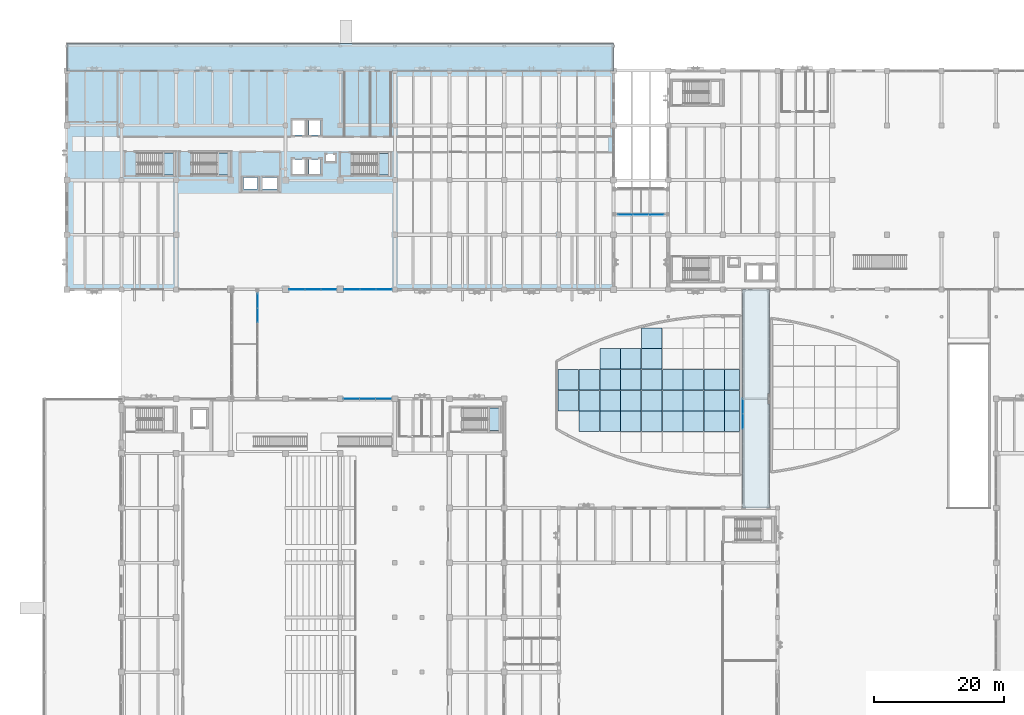
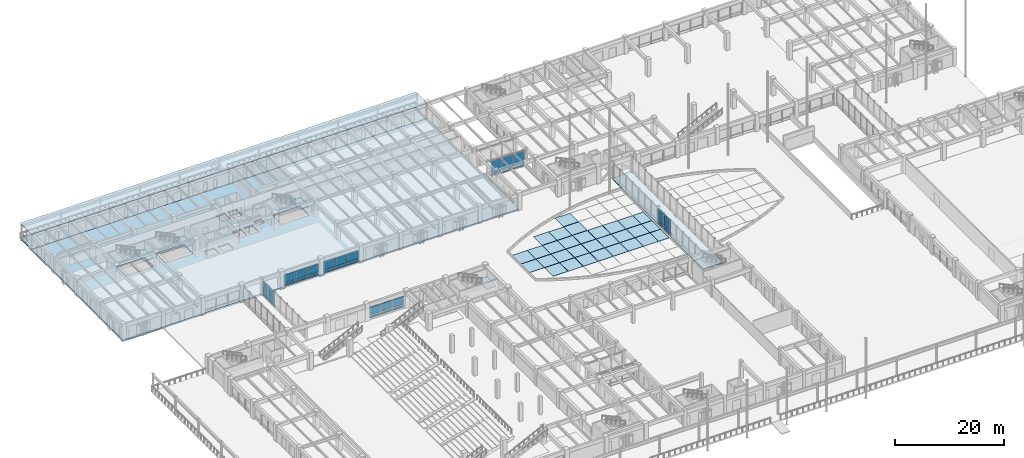
# One storey, part 67 of 135: 62 plates, 8 slabs, 10 elements without a shape of their own.
"""IFC4 building model written with IfcOpenShell, lengths in metres."""

from ifc_helpers import new_model, si_unit, direction, frame, origin, origin_2d, place, context, subcontext, project, spatial, polyline, rectangle, outline, extrude, material, layer, layer_set, type_object, element, aggregate, save


model = new_model("IFC4")

# Units and contexts
model_context = context("Model", 3, precision=1e-05, world=origin(), true_north=direction((0.0, 1.0)))
body_context = subcontext(model_context, "Body", "Model", "MODEL_VIEW")
ifc_project = project(units=[si_unit("LENGTHUNIT", "METRE"), si_unit("AREAUNIT", "SQUARE_METRE"), si_unit("VOLUMEUNIT", "CUBIC_METRE"), si_unit("PLANEANGLEUNIT", "RADIAN"), si_unit("MASSUNIT", "GRAM", prefix="KILO")], contexts=[model_context])

# Site, building, storey
site_placement = place(None, origin())
site = spatial("IfcSite", under=ifc_project, at=site_placement, CompositionType="ELEMENT")
building_placement = place(site_placement, origin())
building = spatial("IfcBuilding", under=site, at=building_placement, Name="Cumbredor Promenade Congress Hotel", CompositionType="ELEMENT")
storey_placement = place(building_placement, origin())
storey = spatial("IfcBuildingStorey", under=building, at=storey_placement, Name="L00", CompositionType="ELEMENT", Elevation=0.0)

# Stair, slab
ifc_material_1 = material(Name="Concrete C40/50", Category="concrete")
stair_type_1 = type_object("IfcStairType", Name="Protected Dog-Leg Exit Stair ST-T2 1600mm", PredefinedType="HALF_TURN_STAIR", material=ifc_material_1)
stair_1_placement = place(storey_placement, origin())
stair_1 = element("IfcStair", 1, at=stair_1_placement, inside=storey, type_object=stair_type_1, Name="L00 Protected Exit Stair ST-01", PredefinedType="HALF_TURN_STAIR")
ifc_layer_1 = layer(ifc_material_1, 0.199951171875, Name="Concrete C40/50", Category="concrete")
ifc_layer_set_1 = layer_set([ifc_layer_1], Name="Concrete C40/50")
slab_type_1 = type_object("IfcSlabType", Name="Concrete Stair Landing Slab 200mm", PredefinedType="LANDING", material=ifc_layer_set_1)
slab_1_placement = place(storey_placement, frame((0.0, 0.0, 1.760009765625)))
slab_1 = element("IfcSlab", 2, at=slab_1_placement, type_object=slab_type_1, Name="ST-01 landing 1", PredefinedType="LANDING", context=body_context, shape_type="SweptSolid", body=[
    extrude(outline(polyline([(14.64990234375, 101.6201171875), (16.64990234375, 101.6201171875), (16.64990234375, 104.969970703125), (14.64990234375, 104.969970703125), (14.64990234375, 101.6201171875)])), origin(), (0.0, 0.0, 1.0), 0.199951171875),
])
aggregate(stair_1, [slab_1])

stair_2_placement = place(storey_placement, origin())
stair_2 = element("IfcStair", 3, at=stair_2_placement, inside=storey, type_object=stair_type_1, Name="L00 Protected Exit Stair ST-02", PredefinedType="HALF_TURN_STAIR")
slab_2_placement = place(storey_placement, frame((0.0, 0.0, 1.760009765625)))
slab_2 = element("IfcSlab", 4, at=slab_2_placement, type_object=slab_type_1, Name="ST-02 landing 1", PredefinedType="LANDING", context=body_context, shape_type="SweptSolid", body=[
    extrude(outline(polyline([(23.050048828125, 101.6201171875), (25.050048828125, 101.6201171875), (25.050048828125, 104.969970703125), (23.050048828125, 104.969970703125), (23.050048828125, 101.6201171875)])), origin(), (0.0, 0.0, 1.0), 0.199951171875),
])
aggregate(stair_2, [slab_2])

stair_type_2 = type_object("IfcStairType", Name="Protected Dog-Leg Exit Stair ST-T1 1550mm", PredefinedType="HALF_TURN_STAIR", material=ifc_material_1)
stair_3_placement = place(storey_placement, origin())
stair_3 = element("IfcStair", 5, at=stair_3_placement, inside=storey, type_object=stair_type_2, Name="L00 Protected Exit Stair ST-03", PredefinedType="HALF_TURN_STAIR")
slab_3_placement = place(storey_placement, frame((0.0, 0.0, 1.760009765625)))
slab_3 = element("IfcSlab", 6, at=slab_3_placement, type_object=slab_type_1, Name="ST-03 landing 1", PredefinedType="LANDING", context=body_context, shape_type="SweptSolid", body=[
    extrude(outline(polyline([(47.699951171875, 101.6201171875), (49.699951171875, 101.6201171875), (49.699951171875, 104.8701171875), (47.699951171875, 104.8701171875), (47.699951171875, 101.6201171875)])), origin(), (0.0, 0.0, 1.0), 0.199951171875),
])
aggregate(stair_3, [slab_3])

stair_type_3 = type_object("IfcStairType", Name="Protected Dog-Leg Exit Stair ST-T3 1650mm", PredefinedType="HALF_TURN_STAIR", material=ifc_material_1)
stair_4_placement = place(storey_placement, origin())
stair_4 = element("IfcStair", 7, at=stair_4_placement, inside=storey, type_object=stair_type_3, Name="L00 Protected Exit Stair ST-07", PredefinedType="HALF_TURN_STAIR")
slab_4_placement = place(storey_placement, frame((0.0, 0.0, 1.760009765625)))
slab_4 = element("IfcSlab", 8, at=slab_4_placement, type_object=slab_type_1, Name="ST-07 landing 1", PredefinedType="LANDING", context=body_context, shape_type="SweptSolid", body=[
    extrude(outline(polyline([(64.64990234375, 62.35009765625), (66.64990234375, 62.35009765625), (66.64990234375, 65.800048828125), (64.64990234375, 65.800048828125), (64.64990234375, 62.35009765625)])), origin(), (0.0, 0.0, 1.0), 0.199951171875),
])
aggregate(stair_4, [slab_4])

# Curtain wall, plates
ifc_material_2 = material(Name="Thermally broken anodized aluminium and low-E glass", Category="aluminium")
curtain_wall_type_1 = type_object("IfcCurtainWallType", Name="Unitised Bridge Glazing Screen CW-05", PredefinedType="NOTDEFINED", material=ifc_material_2)
curtain_wall_1_placement = place(storey_placement, origin())
curtain_wall_1 = element("IfcCurtainWall", 9, at=curtain_wall_1_placement, inside=storey, type_object=curtain_wall_type_1, Name="L00 West Congress-to-Hotel Glazed Bridge East Glazing Screen", PredefinedType="NOTDEFINED")
ifc_material_3 = material(Name="Laminated low-E solar-control glass", Category="glass")
ifc_layer_2 = layer(ifc_material_3, 0.030029296875, Name="Laminated low-E solar-control glass", Category="glass")
ifc_layer_set_2 = layer_set([ifc_layer_2], Name="Laminated low-E solar-control glass")
plate_type_1 = type_object("IfcPlateType", Name="Glazed Bridge Panel PNL-04", PredefinedType="CURTAIN_PANEL", material=ifc_layer_set_2)
plate_1_placement = place(storey_placement, frame((29.320068359375, 80.02294921875, 0.78515625), z_axis=(0.0, 0.0, 1.0), x_axis=(0.0, 1.0, 0.0)))
plate_1 = element("IfcPlate", 10, at=plate_1_placement, type_object=plate_type_1, Name="L00 West Congress-to-Hotel Glazed Bridge East Glazing Screen Glazing Panel 6.2", PredefinedType="CURTAIN_PANEL", context=body_context, shape_type="SweptSolid", body=[
    extrude(rectangle(XDim=2.146484375, YDim=0.030029296875, at=origin_2d()), origin(), (0.0, 0.0, 1.0), 2.6298828125),
])
plate_2_placement = place(storey_placement, frame((29.320068359375, 82.234375, 0.78515625), z_axis=(0.0, 0.0, 1.0), x_axis=(0.0, 1.0, 0.0)))
plate_2 = element("IfcPlate", 11, at=plate_2_placement, type_object=plate_type_1, Name="L00 West Congress-to-Hotel Glazed Bridge East Glazing Screen Glazing Panel 7.2", PredefinedType="CURTAIN_PANEL", context=body_context, shape_type="SweptSolid", body=[
    extrude(rectangle(XDim=2.146484375, YDim=0.030029296875, at=origin_2d()), origin(), (0.0, 0.0, 1.0), 2.6298828125),
])

curtain_wall_2_placement = place(storey_placement, origin())
curtain_wall_2 = element("IfcCurtainWall", 12, at=curtain_wall_2_placement, inside=storey, type_object=curtain_wall_type_1, Name="L00 Central Reflecting-Pool Promenade Bridge West Glazing Screen", PredefinedType="NOTDEFINED")
plate_3_placement = place(storey_placement, frame((103.8798828125, 63.741455078125, 0.78515625), z_axis=(0.0, 0.0, 1.0), x_axis=(0.0, 1.0, 0.0)))
plate_3 = element("IfcPlate", 13, at=plate_3_placement, type_object=plate_type_1, Name="L00 Central Reflecting-Pool Promenade Bridge West Glazing Screen Glazing Panel 6.2", PredefinedType="CURTAIN_PANEL", context=body_context, shape_type="SweptSolid", body=[
    extrude(rectangle(XDim=2.24072265625, YDim=0.030029296875, at=origin_2d()), origin(), (0.0, 0.0, 1.0), 2.6298828125),
])
plate_4_placement = place(storey_placement, frame((103.8798828125, 66.047119140625, 0.78515625), z_axis=(0.0, 0.0, 1.0), x_axis=(0.0, 1.0, 0.0)))
plate_4 = element("IfcPlate", 14, at=plate_4_placement, type_object=plate_type_1, Name="L00 Central Reflecting-Pool Promenade Bridge West Glazing Screen Glazing Panel 7.2", PredefinedType="CURTAIN_PANEL", context=body_context, shape_type="SweptSolid", body=[
    extrude(rectangle(XDim=2.24072265625, YDim=0.030029296875, at=origin_2d()), origin(), (0.0, 0.0, 1.0), 2.6298828125),
])

curtain_wall_3_placement = place(storey_placement, origin())
curtain_wall_3 = element("IfcCurtainWall", 15, at=curtain_wall_3_placement, inside=storey, type_object=curtain_wall_type_1, Name="L00 North Hotel-to-Forum Glazed Bridge South Glazing Screen", PredefinedType="NOTDEFINED")
plate_5_placement = place(storey_placement, frame((85.840087890625, 95.47998046875, 0.78515625), z_axis=(0.0, 0.0, 1.0), x_axis=(1.0, 0.0, 0.0)))
plate_5 = element("IfcPlate", 16, at=plate_5_placement, type_object=plate_type_1, Name="L00 North Hotel-to-Forum Glazed Bridge South Glazing Screen Glazing Panel 1.2", PredefinedType="CURTAIN_PANEL", context=body_context, shape_type="SweptSolid", body=[
    extrude(rectangle(XDim=2.294921875, YDim=0.030029296875, at=origin_2d()), origin(), (0.0, 0.0, 1.0), 2.6298828125),
])
plate_6_placement = place(storey_placement, frame((88.199951171875, 95.47998046875, 0.78515625), z_axis=(0.0, 0.0, 1.0), x_axis=(1.0, 0.0, 0.0)))
plate_6 = element("IfcPlate", 17, at=plate_6_placement, type_object=plate_type_1, Name="L00 North Hotel-to-Forum Glazed Bridge South Glazing Screen Glazing Panel 2.2", PredefinedType="CURTAIN_PANEL", context=body_context, shape_type="SweptSolid", body=[
    extrude(rectangle(XDim=2.294921875, YDim=0.030029296875, at=origin_2d()), origin(), (0.0, 0.0, 1.0), 2.6298828125),
])
plate_7_placement = place(storey_placement, frame((90.56005859375, 95.47998046875, 0.78515625), z_axis=(0.0, 0.0, 1.0), x_axis=(1.0, 0.0, 0.0)))
plate_7 = element("IfcPlate", 18, at=plate_7_placement, type_object=plate_type_1, Name="L00 North Hotel-to-Forum Glazed Bridge South Glazing Screen Glazing Panel 3.2", PredefinedType="CURTAIN_PANEL", context=body_context, shape_type="SweptSolid", body=[
    extrude(rectangle(XDim=2.294921875, YDim=0.030029296875, at=origin_2d()), origin(), (0.0, 0.0, 1.0), 2.6298828125),
])

curtain_wall_type_2 = type_object("IfcCurtainWallType", Name="Unitised Grand Foyer Curtain Wall CW-04", PredefinedType="NOTDEFINED", material=ifc_material_2)
curtain_wall_4_placement = place(storey_placement, origin())
curtain_wall_4 = element("IfcCurtainWall", 19, at=curtain_wall_4_placement, inside=storey, type_object=curtain_wall_type_2, Name="L00 Stepped Congress Hotel Wing South Curtain Wall 6", PredefinedType="NOTDEFINED")
ifc_layer_3 = layer(ifc_material_3, 0.028076171875, Name="Laminated low-E solar-control glass", Category="glass")
ifc_layer_set_3 = layer_set([ifc_layer_3], Name="Laminated low-E solar-control glass")
plate_type_2 = type_object("IfcPlateType", Name="Glazed Vision Panel PNL-01", PredefinedType="CURTAIN_PANEL", material=ifc_layer_set_3)
plate_8_placement = place(storey_placement, frame((43.78662109375, 84.0, 0.78515625), z_axis=(0.0, 0.0, 1.0), x_axis=(1.0, 0.0, 0.0)))
plate_8 = element("IfcPlate", 20, at=plate_8_placement, type_object=plate_type_2, Name="L00 Stepped Congress Hotel Wing South Curtain Wall 6 Glazing Panel 1.2", PredefinedType="CURTAIN_PANEL", context=body_context, shape_type="SweptSolid", body=[
    extrude(rectangle(XDim=2.398193359375, YDim=0.028076171875, at=origin_2d()), origin(), (0.0, 0.0, 1.0), 1.909912109375),
])
plate_9_placement = place(storey_placement, frame((46.25, 84.0, 0.78515625), z_axis=(0.0, 0.0, 1.0), x_axis=(1.0, 0.0, 0.0)))
plate_9 = element("IfcPlate", 21, at=plate_9_placement, type_object=plate_type_2, Name="L00 Stepped Congress Hotel Wing South Curtain Wall 6 Glazing Panel 2.2", PredefinedType="CURTAIN_PANEL", context=body_context, shape_type="SweptSolid", body=[
    extrude(rectangle(XDim=2.3984375, YDim=0.028076171875, at=origin_2d()), origin(), (0.0, 0.0, 1.0), 1.909912109375),
])
plate_10_placement = place(storey_placement, frame((48.71337890625, 84.0, 0.78515625), z_axis=(0.0, 0.0, 1.0), x_axis=(1.0, 0.0, 0.0)))
plate_10 = element("IfcPlate", 22, at=plate_10_placement, type_object=plate_type_2, Name="L00 Stepped Congress Hotel Wing South Curtain Wall 6 Glazing Panel 3.2", PredefinedType="CURTAIN_PANEL", context=body_context, shape_type="SweptSolid", body=[
    extrude(rectangle(XDim=2.398193359375, YDim=0.028076171875, at=origin_2d()), origin(), (0.0, 0.0, 1.0), 1.909912109375),
])

curtain_wall_5_placement = place(storey_placement, origin())
curtain_wall_5 = element("IfcCurtainWall", 23, at=curtain_wall_5_placement, inside=storey, type_object=curtain_wall_type_2, Name="L00 Plenary Congress Hall North Curtain Wall 5", PredefinedType="NOTDEFINED")
ifc_layer_4 = layer(ifc_material_3, 0.028076171875, Name="Laminated low-E solar-control glass", Category="glass")
ifc_layer_set_4 = layer_set([ifc_layer_4], Name="Laminated low-E solar-control glass")
plate_type_3 = type_object("IfcPlateType", Name="Glazed Vision Panel PNL-03", PredefinedType="CURTAIN_PANEL", material=ifc_layer_set_4)
plate_11_placement = place(storey_placement, frame((43.736572265625, 67.199951171875, 0.81005859375), z_axis=(0.0, 0.0, 1.0), x_axis=(1.0, 0.0, 0.0)))
plate_11 = element("IfcPlate", 24, at=plate_11_placement, type_object=plate_type_3, Name="L00 Plenary Congress Hall North Curtain Wall 5 Glazing Panel 1.2", PredefinedType="CURTAIN_PANEL", context=body_context, shape_type="SweptSolid", body=[
    extrude(rectangle(XDim=2.38330078125, YDim=0.028076171875, at=origin_2d()), origin(), (0.0, 0.0, 1.0), 1.840087890625),
])
plate_12_placement = place(storey_placement, frame((46.199951171875, 67.199951171875, 0.81005859375), z_axis=(0.0, 0.0, 1.0), x_axis=(1.0, 0.0, 0.0)))
plate_12 = element("IfcPlate", 25, at=plate_12_placement, type_object=plate_type_3, Name="L00 Plenary Congress Hall North Curtain Wall 5 Glazing Panel 2.2", PredefinedType="CURTAIN_PANEL", context=body_context, shape_type="SweptSolid", body=[
    extrude(rectangle(XDim=2.38330078125, YDim=0.028076171875, at=origin_2d()), origin(), (0.0, 0.0, 1.0), 1.840087890625),
])
plate_13_placement = place(storey_placement, frame((48.663330078125, 67.199951171875, 0.81005859375), z_axis=(0.0, 0.0, 1.0), x_axis=(1.0, 0.0, 0.0)))
plate_13 = element("IfcPlate", 26, at=plate_13_placement, type_object=plate_type_3, Name="L00 Plenary Congress Hall North Curtain Wall 5 Glazing Panel 3.2", PredefinedType="CURTAIN_PANEL", context=body_context, shape_type="SweptSolid", body=[
    extrude(rectangle(XDim=2.38330078125, YDim=0.028076171875, at=origin_2d()), origin(), (0.0, 0.0, 1.0), 1.840087890625),
])

curtain_wall_6_placement = place(storey_placement, origin())
curtain_wall_6 = element("IfcCurtainWall", 27, at=curtain_wall_6_placement, inside=storey, type_object=curtain_wall_type_2, Name="L00 Stepped Congress Hotel Wing South Curtain Wall 5", PredefinedType="NOTDEFINED")
plate_14_placement = place(storey_placement, frame((35.3701171875, 84.0, 0.81005859375), z_axis=(0.0, 0.0, 1.0), x_axis=(1.0, 0.0, 0.0)))
plate_14 = element("IfcPlate", 28, at=plate_14_placement, type_object=plate_type_3, Name="L00 Stepped Congress Hotel Wing South Curtain Wall 5 Glazing Panel 1.2", PredefinedType="CURTAIN_PANEL", context=body_context, shape_type="SweptSolid", body=[
    extrude(rectangle(XDim=2.35009765625, YDim=0.028076171875, at=origin_2d()), origin(), (0.0, 0.0, 1.0), 1.840087890625),
])
plate_15_placement = place(storey_placement, frame((37.800048828125, 84.0, 0.81005859375), z_axis=(0.0, 0.0, 1.0), x_axis=(1.0, 0.0, 0.0)))
plate_15 = element("IfcPlate", 29, at=plate_15_placement, type_object=plate_type_3, Name="L00 Stepped Congress Hotel Wing South Curtain Wall 5 Glazing Panel 2.2", PredefinedType="CURTAIN_PANEL", context=body_context, shape_type="SweptSolid", body=[
    extrude(rectangle(XDim=2.35009765625, YDim=0.028076171875, at=origin_2d()), origin(), (0.0, 0.0, 1.0), 1.840087890625),
])
plate_16_placement = place(storey_placement, frame((40.22998046875, 84.0, 0.81005859375), z_axis=(0.0, 0.0, 1.0), x_axis=(1.0, 0.0, 0.0)))
plate_16 = element("IfcPlate", 30, at=plate_16_placement, type_object=plate_type_3, Name="L00 Stepped Congress Hotel Wing South Curtain Wall 5 Glazing Panel 3.2", PredefinedType="CURTAIN_PANEL", context=body_context, shape_type="SweptSolid", body=[
    extrude(rectangle(XDim=2.35009765625, YDim=0.028076171875, at=origin_2d()), origin(), (0.0, 0.0, 1.0), 1.840087890625),
])

# Slab
ifc_layer_5 = layer(ifc_material_1, 0.35009765625, Name="Concrete C40/50", Category="concrete")
ifc_layer_set_5 = layer_set([ifc_layer_5], Name="Concrete C40/50")
slab_type_2 = type_object("IfcSlabType", Name="Ground Floor Slab 350mm", PredefinedType="FLOOR", material=ifc_layer_set_5)
slab_5_placement = place(storey_placement, frame((0.0, 0.0, -0.35009765625)))
element("IfcSlab", 31, at=slab_5_placement, inside=storey, type_object=slab_type_2, Name="L00 Stepped Congress Hotel Wing Floor Slab", PredefinedType="FLOOR", context=body_context, shape_type="SweptSolid", body=[
    extrude(outline(polyline([(0.0, 84.0), (84.0, 84.0), (84.0, 117.60009765625), (0.0, 117.60009765625), (0.0, 84.0)]), holes=[polyline([(10.75, 101.6201171875), (16.64990234375, 101.6201171875), (16.64990234375, 104.969970703125), (10.75, 104.969970703125), (10.75, 101.6201171875)]), polyline([(19.14990234375, 101.6201171875), (25.050048828125, 101.6201171875), (25.050048828125, 104.969970703125), (19.14990234375, 104.969970703125), (19.14990234375, 101.6201171875)]), polyline([(43.800048828125, 101.6201171875), (49.699951171875, 101.6201171875), (49.699951171875, 104.8701171875), (43.800048828125, 104.8701171875), (43.800048828125, 101.6201171875)]), polyline([(27.1298828125, 99.39990234375), (29.300048828125, 99.39990234375), (29.300048828125, 101.199951171875), (27.1298828125, 101.199951171875), (27.1298828125, 99.39990234375)]), polyline([(30.10009765625, 99.39990234375), (32.27001953125, 99.39990234375), (32.27001953125, 101.199951171875), (30.10009765625, 101.199951171875), (30.10009765625, 99.39990234375)]), polyline([(34.699951171875, 107.75), (36.5, 107.75), (36.5, 109.949951171875), (34.699951171875, 109.949951171875), (34.699951171875, 107.75)]), polyline([(37.199951171875, 107.75), (39.0, 107.75), (39.0, 109.949951171875), (37.199951171875, 109.949951171875), (37.199951171875, 107.75)]), polyline([(34.699951171875, 101.75), (36.5, 101.75), (36.5, 103.949951171875), (34.699951171875, 103.949951171875), (34.699951171875, 101.75)]), polyline([(37.199951171875, 101.75), (39.0, 101.75), (39.0, 103.949951171875), (37.199951171875, 103.949951171875), (37.199951171875, 101.75)]), polyline([(39.699951171875, 103.60009765625), (41.300048828125, 103.60009765625), (41.300048828125, 104.800048828125), (39.699951171875, 104.800048828125), (39.699951171875, 103.60009765625)])]), origin(), (0.0, 0.0, 1.0), 0.35009765625),
])

# Plate
ifc_material_4 = material(Name="Thermally broken anodized aluminium", Category="aluminium")
ifc_layer_6 = layer(ifc_material_4, 0.0400390625, Name="Thermally broken anodized aluminium", Category="aluminium")
ifc_layer_set_6 = layer_set([ifc_layer_6], Name="Thermally broken anodized aluminium")
plate_type_4 = type_object("IfcPlateType", Name="Insulated Spandrel Panel PNL-05", PredefinedType="CURTAIN_PANEL", material=ifc_layer_set_6)
plate_17_placement = place(storey_placement, frame((43.736572265625, 67.199951171875, 0.18017578125), z_axis=(0.0, 0.0, 1.0), x_axis=(1.0, 0.0, 0.0)))
plate_17 = element("IfcPlate", 32, at=plate_17_placement, type_object=plate_type_4, Name="L00 Plenary Congress Hall North Curtain Wall 5 Spandrel Panel 1.1", PredefinedType="CURTAIN_PANEL", context=body_context, shape_type="SweptSolid", body=[
    extrude(rectangle(XDim=2.38330078125, YDim=0.0400390625, at=origin_2d()), origin(), (0.0, 0.0, 1.0), 0.449951171875),
])

plate_18_placement = place(storey_placement, frame((46.199951171875, 67.199951171875, 0.18017578125), z_axis=(0.0, 0.0, 1.0), x_axis=(1.0, 0.0, 0.0)))
plate_18 = element("IfcPlate", 33, at=plate_18_placement, type_object=plate_type_4, Name="L00 Plenary Congress Hall North Curtain Wall 5 Spandrel Panel 2.1", PredefinedType="CURTAIN_PANEL", context=body_context, shape_type="SweptSolid", body=[
    extrude(rectangle(XDim=2.38330078125, YDim=0.0400390625, at=origin_2d()), origin(), (0.0, 0.0, 1.0), 0.449951171875),
])

plate_19_placement = place(storey_placement, frame((48.663330078125, 67.199951171875, 0.18017578125), z_axis=(0.0, 0.0, 1.0), x_axis=(1.0, 0.0, 0.0)))
plate_19 = element("IfcPlate", 34, at=plate_19_placement, type_object=plate_type_4, Name="L00 Plenary Congress Hall North Curtain Wall 5 Spandrel Panel 3.1", PredefinedType="CURTAIN_PANEL", context=body_context, shape_type="SweptSolid", body=[
    extrude(rectangle(XDim=2.38330078125, YDim=0.0400390625, at=origin_2d()), origin(), (0.0, 0.0, 1.0), 0.449951171875),
])

aggregate(curtain_wall_5, [plate_17, plate_11, plate_18, plate_12, plate_19, plate_13])

plate_20_placement = place(storey_placement, frame((35.3701171875, 84.0, 0.18017578125), z_axis=(0.0, 0.0, 1.0), x_axis=(1.0, 0.0, 0.0)))
plate_20 = element("IfcPlate", 35, at=plate_20_placement, type_object=plate_type_4, Name="L00 Stepped Congress Hotel Wing South Curtain Wall 5 Spandrel Panel 1.1", PredefinedType="CURTAIN_PANEL", context=body_context, shape_type="SweptSolid", body=[
    extrude(rectangle(XDim=2.35009765625, YDim=0.0400390625, at=origin_2d()), origin(), (0.0, 0.0, 1.0), 0.449951171875),
])

plate_21_placement = place(storey_placement, frame((37.800048828125, 84.0, 0.18017578125), z_axis=(0.0, 0.0, 1.0), x_axis=(1.0, 0.0, 0.0)))
plate_21 = element("IfcPlate", 36, at=plate_21_placement, type_object=plate_type_4, Name="L00 Stepped Congress Hotel Wing South Curtain Wall 5 Spandrel Panel 2.1", PredefinedType="CURTAIN_PANEL", context=body_context, shape_type="SweptSolid", body=[
    extrude(rectangle(XDim=2.35009765625, YDim=0.0400390625, at=origin_2d()), origin(), (0.0, 0.0, 1.0), 0.449951171875),
])

plate_22_placement = place(storey_placement, frame((40.22998046875, 84.0, 0.18017578125), z_axis=(0.0, 0.0, 1.0), x_axis=(1.0, 0.0, 0.0)))
plate_22 = element("IfcPlate", 37, at=plate_22_placement, type_object=plate_type_4, Name="L00 Stepped Congress Hotel Wing South Curtain Wall 5 Spandrel Panel 3.1", PredefinedType="CURTAIN_PANEL", context=body_context, shape_type="SweptSolid", body=[
    extrude(rectangle(XDim=2.35009765625, YDim=0.0400390625, at=origin_2d()), origin(), (0.0, 0.0, 1.0), 0.449951171875),
])

aggregate(curtain_wall_6, [plate_20, plate_14, plate_21, plate_15, plate_22, plate_16])

ifc_layer_7 = layer(ifc_material_4, 0.0400390625, Name="Thermally broken anodized aluminium", Category="aluminium")
ifc_layer_set_7 = layer_set([ifc_layer_7], Name="Thermally broken anodized aluminium")
plate_type_5 = type_object("IfcPlateType", Name="Insulated Spandrel Panel PNL-06", PredefinedType="CURTAIN_PANEL", material=ifc_layer_set_7)
plate_23_placement = place(storey_placement, frame((43.78662109375, 84.0, 0.135009765625), z_axis=(0.0, 0.0, 1.0), x_axis=(1.0, 0.0, 0.0)))
plate_23 = element("IfcPlate", 38, at=plate_23_placement, type_object=plate_type_5, Name="L00 Stepped Congress Hotel Wing South Curtain Wall 6 Spandrel Panel 1.1", PredefinedType="CURTAIN_PANEL", context=body_context, shape_type="SweptSolid", body=[
    extrude(rectangle(XDim=2.398193359375, YDim=0.0400390625, at=origin_2d()), origin(), (0.0, 0.0, 1.0), 0.52001953125),
])

plate_24_placement = place(storey_placement, frame((46.25, 84.0, 0.135009765625), z_axis=(0.0, 0.0, 1.0), x_axis=(1.0, 0.0, 0.0)))
plate_24 = element("IfcPlate", 39, at=plate_24_placement, type_object=plate_type_5, Name="L00 Stepped Congress Hotel Wing South Curtain Wall 6 Spandrel Panel 2.1", PredefinedType="CURTAIN_PANEL", context=body_context, shape_type="SweptSolid", body=[
    extrude(rectangle(XDim=2.3984375, YDim=0.0400390625, at=origin_2d()), origin(), (0.0, 0.0, 1.0), 0.52001953125),
])

plate_25_placement = place(storey_placement, frame((48.71337890625, 84.0, 0.135009765625), z_axis=(0.0, 0.0, 1.0), x_axis=(1.0, 0.0, 0.0)))
plate_25 = element("IfcPlate", 40, at=plate_25_placement, type_object=plate_type_5, Name="L00 Stepped Congress Hotel Wing South Curtain Wall 6 Spandrel Panel 3.1", PredefinedType="CURTAIN_PANEL", context=body_context, shape_type="SweptSolid", body=[
    extrude(rectangle(XDim=2.398193359375, YDim=0.0400390625, at=origin_2d()), origin(), (0.0, 0.0, 1.0), 0.52001953125),
])

aggregate(curtain_wall_4, [plate_23, plate_8, plate_24, plate_9, plate_25, plate_10])

plate_26_placement = place(storey_placement, frame((29.320068359375, 80.02294921875, 0.135009765625), z_axis=(0.0, 0.0, 1.0), x_axis=(0.0, 1.0, 0.0)))
plate_26 = element("IfcPlate", 41, at=plate_26_placement, type_object=plate_type_5, Name="L00 West Congress-to-Hotel Glazed Bridge East Glazing Screen Spandrel Panel 6.1", PredefinedType="CURTAIN_PANEL", context=body_context, shape_type="SweptSolid", body=[
    extrude(rectangle(XDim=2.146484375, YDim=0.0400390625, at=origin_2d()), origin(), (0.0, 0.0, 1.0), 0.52001953125),
])

plate_27_placement = place(storey_placement, frame((29.320068359375, 82.234375, 0.135009765625), z_axis=(0.0, 0.0, 1.0), x_axis=(0.0, 1.0, 0.0)))
plate_27 = element("IfcPlate", 42, at=plate_27_placement, type_object=plate_type_5, Name="L00 West Congress-to-Hotel Glazed Bridge East Glazing Screen Spandrel Panel 7.1", PredefinedType="CURTAIN_PANEL", context=body_context, shape_type="SweptSolid", body=[
    extrude(rectangle(XDim=2.146484375, YDim=0.0400390625, at=origin_2d()), origin(), (0.0, 0.0, 1.0), 0.52001953125),
])

aggregate(curtain_wall_1, [plate_26, plate_1, plate_27, plate_2])

plate_28_placement = place(storey_placement, frame((103.8798828125, 63.741455078125, 0.135009765625), z_axis=(0.0, 0.0, 1.0), x_axis=(0.0, 1.0, 0.0)))
plate_28 = element("IfcPlate", 43, at=plate_28_placement, type_object=plate_type_5, Name="L00 Central Reflecting-Pool Promenade Bridge West Glazing Screen Spandrel Panel 6.1", PredefinedType="CURTAIN_PANEL", context=body_context, shape_type="SweptSolid", body=[
    extrude(rectangle(XDim=2.24072265625, YDim=0.0400390625, at=origin_2d()), origin(), (0.0, 0.0, 1.0), 0.52001953125),
])

plate_29_placement = place(storey_placement, frame((103.8798828125, 66.047119140625, 0.135009765625), z_axis=(0.0, 0.0, 1.0), x_axis=(0.0, 1.0, 0.0)))
plate_29 = element("IfcPlate", 44, at=plate_29_placement, type_object=plate_type_5, Name="L00 Central Reflecting-Pool Promenade Bridge West Glazing Screen Spandrel Panel 7.1", PredefinedType="CURTAIN_PANEL", context=body_context, shape_type="SweptSolid", body=[
    extrude(rectangle(XDim=2.24072265625, YDim=0.0400390625, at=origin_2d()), origin(), (0.0, 0.0, 1.0), 0.52001953125),
])

aggregate(curtain_wall_2, [plate_28, plate_3, plate_29, plate_4])

plate_30_placement = place(storey_placement, frame((85.840087890625, 95.47998046875, 0.135009765625), z_axis=(0.0, 0.0, 1.0), x_axis=(1.0, 0.0, 0.0)))
plate_30 = element("IfcPlate", 45, at=plate_30_placement, type_object=plate_type_5, Name="L00 North Hotel-to-Forum Glazed Bridge South Glazing Screen Spandrel Panel 1.1", PredefinedType="CURTAIN_PANEL", context=body_context, shape_type="SweptSolid", body=[
    extrude(rectangle(XDim=2.294921875, YDim=0.0400390625, at=origin_2d()), origin(), (0.0, 0.0, 1.0), 0.52001953125),
])

plate_31_placement = place(storey_placement, frame((88.199951171875, 95.47998046875, 0.135009765625), z_axis=(0.0, 0.0, 1.0), x_axis=(1.0, 0.0, 0.0)))
plate_31 = element("IfcPlate", 46, at=plate_31_placement, type_object=plate_type_5, Name="L00 North Hotel-to-Forum Glazed Bridge South Glazing Screen Spandrel Panel 2.1", PredefinedType="CURTAIN_PANEL", context=body_context, shape_type="SweptSolid", body=[
    extrude(rectangle(XDim=2.294921875, YDim=0.0400390625, at=origin_2d()), origin(), (0.0, 0.0, 1.0), 0.52001953125),
])

plate_32_placement = place(storey_placement, frame((90.56005859375, 95.47998046875, 0.135009765625), z_axis=(0.0, 0.0, 1.0), x_axis=(1.0, 0.0, 0.0)))
plate_32 = element("IfcPlate", 47, at=plate_32_placement, type_object=plate_type_5, Name="L00 North Hotel-to-Forum Glazed Bridge South Glazing Screen Spandrel Panel 3.1", PredefinedType="CURTAIN_PANEL", context=body_context, shape_type="SweptSolid", body=[
    extrude(rectangle(XDim=2.294921875, YDim=0.0400390625, at=origin_2d()), origin(), (0.0, 0.0, 1.0), 0.52001953125),
])

aggregate(curtain_wall_3, [plate_30, plate_5, plate_31, plate_6, plate_32, plate_7])

# Slabs
ifc_layer_8 = layer(ifc_material_1, 0.1650390625, Name="Concrete C40/50", Category="concrete")
ifc_layer_set_8 = layer_set([ifc_layer_8], Name="Concrete C40/50")
slab_type_3 = type_object("IfcSlabType", Name="Link Bridge Canopy Roof Slab 165mm", PredefinedType="ROOF", material=ifc_layer_set_8)
slab_6_placement = place(storey_placement, frame((0.0, 0.0, 3.18505859375)))
element("IfcSlab", 48, at=slab_6_placement, inside=storey, type_object=slab_type_3, Name="North Congress Entrance Portico Canopy Roof", PredefinedType="ROOF", context=body_context, shape_type="SweptSolid", body=[
    extrude(outline(polyline([(0.0, 117.60009765625), (84.0, 117.60009765625), (84.0, 121.800048828125), (0.0, 121.800048828125), (0.0, 117.60009765625)])), origin(), (0.0, 0.0, 1.0), 0.1650390625),
])
ifc_layer_9 = layer(ifc_material_1, 0.219970703125, Name="Concrete C40/50", Category="concrete")
ifc_layer_set_9 = layer_set([ifc_layer_9], Name="Concrete C40/50")
slab_type_4 = type_object("IfcSlabType", Name="Link Bridge Deck Slab 220mm", PredefinedType="FLOOR", material=ifc_layer_set_9)
slab_7_placement = place(storey_placement, frame((0.0, 0.0, -0.219970703125)))
element("IfcSlab", 49, at=slab_7_placement, inside=storey, type_object=slab_type_4, Name="L00 Central Reflecting-Pool Promenade Bridge Floor Deck", PredefinedType="FLOOR", context=body_context, shape_type="SweptSolid", body=[
    extrude(outline(polyline([(103.800048828125, 50.39990234375), (108.0, 50.39990234375), (108.0, 66.39990234375), (107.64990234375, 66.39990234375), (107.64990234375, 68.0), (108.0, 68.0), (108.0, 84.0), (103.800048828125, 84.0), (103.800048828125, 50.39990234375)])), origin(), (0.0, 0.0, 1.0), 0.219970703125),
])
ifc_layer_10 = layer(ifc_material_1, 0.300048828125, Name="Concrete C40/50", Category="concrete")
ifc_layer_set_10 = layer_set([ifc_layer_10], Name="Concrete C40/50")
slab_type_5 = type_object("IfcSlabType", Name="Outdoor Promenade Terrace Slab 300mm", PredefinedType="FLOOR", material=ifc_layer_set_10)
slab_8_placement = place(storey_placement, frame((0.0, 0.0, -0.300048828125)))
element("IfcSlab", 50, at=slab_8_placement, inside=storey, type_object=slab_type_5, Name="L00 North Congress Entrance Portico", PredefinedType="FLOOR", context=body_context, shape_type="SweptSolid", body=[
    extrude(outline(polyline([(0.0, 117.60009765625), (84.0, 117.60009765625), (84.0, 121.800048828125), (0.0, 121.800048828125), (0.0, 117.60009765625)])), origin(), (0.0, 0.0, 1.0), 0.300048828125),
])

# Plates
ifc_layer_11 = layer(ifc_material_3, 0.030029296875, Name="Laminated low-E solar-control glass", Category="glass")
ifc_layer_set_11 = layer_set([ifc_layer_11], Name="Laminated low-E solar-control glass")
plate_type_6 = type_object("IfcPlateType", Name="Reflecting Pool Water Mirror Panel WMP-01", PredefinedType="USERDEFINED", material=ifc_layer_set_11)
for number, where, z_axis, x_axis, name in (
    (51, (77.070068359375, 66.919921875, 0.0), (0.0, 0.0, 1.0), (1.0, 0.0, 0.0), "Central Reflecting Pool Water Mirror 001"),
    (52, (77.070068359375, 70.1201171875, 0.0), (0.0, 0.0, 1.0), (1.0, 0.0, 0.0), "Central Reflecting Pool Water Mirror 002"),
    (53, (80.27001953125, 63.719970703125, 0.0), (0.0, 0.0, 1.0), (1.0, 0.0, 0.0), "Central Reflecting Pool Water Mirror 003"),
    (54, (80.27001953125, 66.919921875, 0.0), (0.0, 0.0, 1.0), (1.0, 0.0, 0.0), "Central Reflecting Pool Water Mirror 004"),
    (55, (80.27001953125, 70.1201171875, 0.0), (0.0, 0.0, 1.0), (1.0, 0.0, 0.0), "Central Reflecting Pool Water Mirror 005"),
    (56, (83.469970703125, 63.719970703125, 0.0), (0.0, 0.0, 1.0), (1.0, 0.0, 0.0), "Central Reflecting Pool Water Mirror 006"),
    (57, (83.469970703125, 66.919921875, 0.0), (0.0, 0.0, 1.0), (1.0, 0.0, 0.0), "Central Reflecting Pool Water Mirror 007"),
    (58, (83.469970703125, 70.1201171875, 0.0), (0.0, 0.0, 1.0), (1.0, 0.0, 0.0), "Central Reflecting Pool Water Mirror 008"),
    (59, (83.469970703125, 73.320068359375, 0.0), (0.0, 0.0, 1.0), (1.0, 0.0, 0.0), "Central Reflecting Pool Water Mirror 009"),
    (60, (86.669921875, 63.719970703125, 0.0), (0.0, 0.0, 1.0), (1.0, 0.0, 0.0), "Central Reflecting Pool Water Mirror 011"),
    (61, (86.669921875, 66.919921875, 0.0), (0.0, 0.0, 1.0), (1.0, 0.0, 0.0), "Central Reflecting Pool Water Mirror 012"),
    (62, (86.669921875, 70.1201171875, 0.0), (0.0, 0.0, 1.0), (1.0, 0.0, 0.0), "Central Reflecting Pool Water Mirror 013"),
    (63, (86.669921875, 73.320068359375, 0.0), (0.0, 0.0, 1.0), (1.0, 0.0, 0.0), "Central Reflecting Pool Water Mirror 014"),
    (64, (89.8701171875, 63.719970703125, 0.0), (0.0, 0.0, 1.0), (1.0, 0.0, 0.0), "Central Reflecting Pool Water Mirror 016"),
    (65, (89.8701171875, 66.919921875, 0.0), (0.0, 0.0, 1.0), (1.0, 0.0, 0.0), "Central Reflecting Pool Water Mirror 017"),
    (66, (89.8701171875, 70.1201171875, 0.0), (0.0, 0.0, 1.0), (1.0, 0.0, 0.0), "Central Reflecting Pool Water Mirror 018"),
    (67, (89.8701171875, 73.320068359375, 0.0), (0.0, 0.0, 1.0), (1.0, 0.0, 0.0), "Central Reflecting Pool Water Mirror 019"),
    (68, (89.8701171875, 76.52001953125, 0.0), (0.0, 0.0, 1.0), (1.0, 0.0, 0.0), "Central Reflecting Pool Water Mirror 020"),
    (69, (93.070068359375, 63.719970703125, 0.0), (0.0, 0.0, 1.0), (1.0, 0.0, 0.0), "Central Reflecting Pool Water Mirror 022"),
    (70, (93.070068359375, 66.919921875, 0.0), (0.0, 0.0, 1.0), (1.0, 0.0, 0.0), "Central Reflecting Pool Water Mirror 023"),
    (71, (93.070068359375, 70.1201171875, 0.0), (0.0, 0.0, 1.0), (1.0, 0.0, 0.0), "Central Reflecting Pool Water Mirror 024"),
    (72, (96.27001953125, 63.719970703125, 0.0), (0.0, 0.0, 1.0), (1.0, 0.0, 0.0), "Central Reflecting Pool Water Mirror 028"),
    (73, (96.27001953125, 66.919921875, 0.0), (0.0, 0.0, 1.0), (1.0, 0.0, 0.0), "Central Reflecting Pool Water Mirror 029"),
    (74, (96.27001953125, 70.1201171875, 0.0), (0.0, 0.0, 1.0), (1.0, 0.0, 0.0), "Central Reflecting Pool Water Mirror 030"),
    (75, (99.469970703125, 63.719970703125, 0.0), (0.0, 0.0, 1.0), (1.0, 0.0, 0.0), "Central Reflecting Pool Water Mirror 035"),
    (76, (99.469970703125, 66.919921875, 0.0), (0.0, 0.0, 1.0), (1.0, 0.0, 0.0), "Central Reflecting Pool Water Mirror 036"),
    (77, (99.469970703125, 70.1201171875, 0.0), (0.0, 0.0, 1.0), (1.0, 0.0, 0.0), "Central Reflecting Pool Water Mirror 037"),
):
    element("IfcPlate", number, at=place(storey_placement, frame(where, z_axis=z_axis, x_axis=x_axis)), inside=storey, type_object=plate_type_6, Name=name, ObjectType="WATER MIRROR PANEL", PredefinedType="USERDEFINED", context=body_context, shape_type="SweptSolid", body=[
        extrude(rectangle(XDim=3.159912109375, YDim=3.159912109375, at=origin_2d()), origin(), (0.0, 0.0, 1.0), 0.030029296875),
    ])
for number, where, z_axis, x_axis, name in (
    (78, (102.2099609375, 63.719970703125, 0.0), (0.0, 0.0, 1.0), (1.0, 0.0, 0.0), "Central Reflecting Pool Water Mirror 043"),
    (79, (102.2099609375, 66.919921875, 0.0), (0.0, 0.0, 1.0), (1.0, 0.0, 0.0), "Central Reflecting Pool Water Mirror 044"),
    (80, (102.2099609375, 70.1201171875, 0.0), (0.0, 0.0, 1.0), (1.0, 0.0, 0.0), "Central Reflecting Pool Water Mirror 045"),
):
    element("IfcPlate", number, at=place(storey_placement, frame(where, z_axis=z_axis, x_axis=x_axis)), inside=storey, type_object=plate_type_6, Name=name, ObjectType="WATER MIRROR PANEL", PredefinedType="USERDEFINED", context=body_context, shape_type="SweptSolid", body=[
        extrude(rectangle(XDim=2.239990234375, YDim=3.159912109375, at=origin_2d()), origin(), (0.0, 0.0, 1.0), 0.030029296875),
    ])

save(model, "model.ifc")
